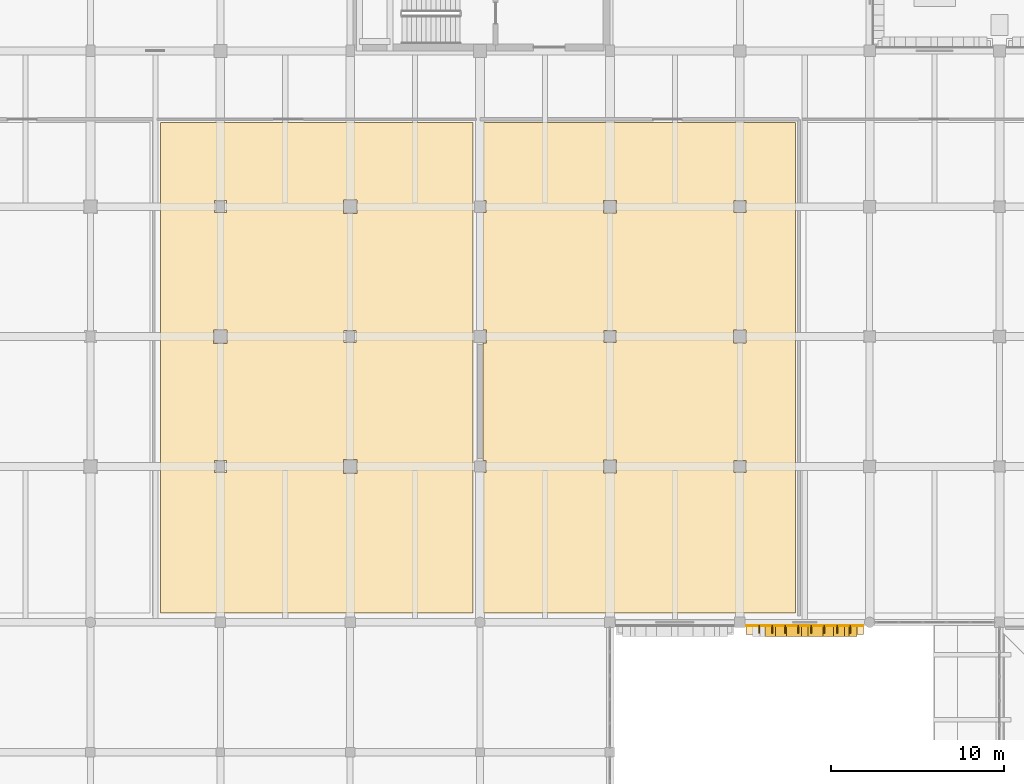
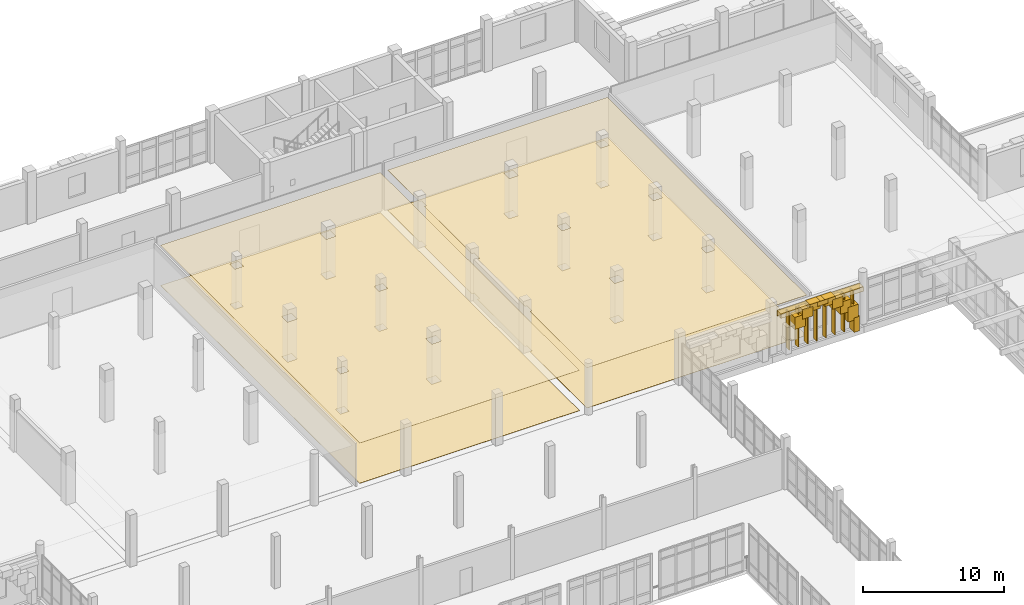
# One storey, part 119 of 128: 15 coverings, 8 shading devices.
"""IFC4 building model written with IfcOpenShell, lengths in metres."""

from ifc_helpers import new_model, si_unit, direction, frame, origin, origin_2d, place, context, subcontext, project, spatial, polyline, rectangle, outline, extrude, material, layer, layer_set, type_object, element, save


model = new_model("IFC4")

# Units and contexts
model_context = context("Model", 3, precision=1e-05, world=origin(), true_north=direction((0.0, 1.0)))
body_context = subcontext(model_context, "Body", "Model", "MODEL_VIEW")
ifc_project = project(units=[si_unit("LENGTHUNIT", "METRE"), si_unit("AREAUNIT", "SQUARE_METRE"), si_unit("VOLUMEUNIT", "CUBIC_METRE"), si_unit("PLANEANGLEUNIT", "RADIAN"), si_unit("MASSUNIT", "GRAM", prefix="KILO")], contexts=[model_context])

# Site, building, storey
site_placement = place(None, origin())
site = spatial("IfcSite", under=ifc_project, at=site_placement, CompositionType="ELEMENT")
building_placement = place(site_placement, origin())
building = spatial("IfcBuilding", under=site, at=building_placement, Name="Dalvernix Boulevard General Hospital", CompositionType="ELEMENT")
storey_placement = place(building_placement, frame((0.0, 0.0, 4.800048828125)))
storey = spatial("IfcBuildingStorey", under=building, at=storey_placement, Name="L01", CompositionType="ELEMENT", Elevation=4.800048828125)

# Coverings
ifc_material_1 = material(Name="Pressed Catalan clay brick and dressed limestone parabolic archivolt", Category="masonry")
ifc_layer_1 = layer(ifc_material_1, 0.419921875)
ifc_layer_set_1 = layer_set([ifc_layer_1], Name="Pressed Catalan clay brick and dressed limestone parabolic archivolt (COV-ARC-01)")
covering_type_1 = type_object("IfcCoveringType", Name="COV-ARC-01", PredefinedType="CLADDING", material=ifc_layer_set_1)
covering_1_placement = place(storey_placement, frame((126.550048828125, 76.014892578125, 0.0), z_axis=(0.0, 0.0, 1.0), x_axis=(-1.0, 0.0, 0.0)))
element("IfcCovering", 1, at=covering_1_placement, inside=storey, type_object=covering_type_1, Name="L01 Catalan parabolic arch impost pier S 16-10-L", PredefinedType="CLADDING", context=body_context, shape_type="SweptSolid", body=[
    extrude(rectangle(XDim=0.4599609375, YDim=0.659912109375, at=origin_2d()), origin(), (0.0, 0.0, 1.0), 1.25),
])
covering_2_placement = place(storey_placement, frame((126.239013671875, 76.014892578125, 1.06005859375), z_axis=(0.0, 0.0, 1.0), x_axis=(-1.0, 0.0, 0.0)))
element("IfcCovering", 2, at=covering_2_placement, inside=storey, type_object=covering_type_1, Name="L01 Catalan parabolic archivolt voussoir S 16-10-1", PredefinedType="CLADDING", context=body_context, shape_type="SweptSolid", body=[
    extrude(rectangle(XDim=0.8623046875, YDim=0.659912109375, at=origin_2d()), origin(), (0.0, 0.0, 1.0), 1.272705078125),
])
covering_3_placement = place(storey_placement, frame((125.61669921875, 76.014892578125, 1.95263671875), z_axis=(0.0, 0.0, 1.0), x_axis=(-1.0, 0.0, 0.0)))
element("IfcCovering", 3, at=covering_3_placement, inside=storey, type_object=covering_type_1, Name="L01 Catalan parabolic archivolt voussoir S 16-10-2", PredefinedType="CLADDING", context=body_context, shape_type="SweptSolid", body=[
    extrude(rectangle(XDim=0.8623046875, YDim=0.659912109375, at=origin_2d()), origin(), (0.0, 0.0, 1.0), 1.049560546875),
])
covering_4_placement = place(storey_placement, frame((124.994384765625, 76.014892578125, 2.62255859375), z_axis=(0.0, 0.0, 1.0), x_axis=(-1.0, 0.0, 0.0)))
element("IfcCovering", 4, at=covering_4_placement, inside=storey, type_object=covering_type_1, Name="L01 Catalan parabolic archivolt voussoir S 16-10-3", PredefinedType="CLADDING", context=body_context, shape_type="SweptSolid", body=[
    extrude(rectangle(XDim=0.8623046875, YDim=0.659912109375, at=origin_2d()), origin(), (0.0, 0.0, 1.0), 0.826416015625),
])
covering_5_placement = place(storey_placement, frame((124.372314453125, 76.014892578125, 3.06884765625), z_axis=(0.0, 0.0, 1.0), x_axis=(-1.0, 0.0, 0.0)))
element("IfcCovering", 5, at=covering_5_placement, inside=storey, type_object=covering_type_1, Name="L01 Catalan parabolic archivolt voussoir S 16-10-4", PredefinedType="CLADDING", context=body_context, shape_type="SweptSolid", body=[
    extrude(rectangle(XDim=0.8623046875, YDim=0.659912109375, at=origin_2d()), origin(), (0.0, 0.0, 1.0), 0.603271484375),
])
covering_6_placement = place(storey_placement, frame((123.75, 76.014892578125, 3.2919921875), z_axis=(0.0, 0.0, 1.0), x_axis=(-1.0, 0.0, 0.0)))
element("IfcCovering", 6, at=covering_6_placement, inside=storey, type_object=covering_type_1, Name="L01 Catalan parabolic archivolt voussoir S 16-10-5", PredefinedType="CLADDING", context=body_context, shape_type="SweptSolid", body=[
    extrude(rectangle(XDim=0.8623046875, YDim=0.659912109375, at=origin_2d()), origin(), (0.0, 0.0, 1.0), 0.3798828125),
])
covering_7_placement = place(storey_placement, frame((123.127685546875, 76.014892578125, 3.06884765625), z_axis=(0.0, 0.0, 1.0), x_axis=(-1.0, 0.0, 0.0)))
element("IfcCovering", 7, at=covering_7_placement, inside=storey, type_object=covering_type_1, Name="L01 Catalan parabolic archivolt voussoir S 16-10-6", PredefinedType="CLADDING", context=body_context, shape_type="SweptSolid", body=[
    extrude(rectangle(XDim=0.8623046875, YDim=0.659912109375, at=origin_2d()), origin(), (0.0, 0.0, 1.0), 0.603271484375),
])
covering_8_placement = place(storey_placement, frame((122.505615234375, 76.014892578125, 2.62255859375), z_axis=(0.0, 0.0, 1.0), x_axis=(-1.0, 0.0, 0.0)))
element("IfcCovering", 8, at=covering_8_placement, inside=storey, type_object=covering_type_1, Name="L01 Catalan parabolic archivolt voussoir S 16-10-7", PredefinedType="CLADDING", context=body_context, shape_type="SweptSolid", body=[
    extrude(rectangle(XDim=0.8623046875, YDim=0.659912109375, at=origin_2d()), origin(), (0.0, 0.0, 1.0), 0.826416015625),
])
covering_9_placement = place(storey_placement, frame((121.88330078125, 76.014892578125, 1.95263671875), z_axis=(0.0, 0.0, 1.0), x_axis=(-1.0, 0.0, 0.0)))
element("IfcCovering", 9, at=covering_9_placement, inside=storey, type_object=covering_type_1, Name="L01 Catalan parabolic archivolt voussoir S 16-10-8", PredefinedType="CLADDING", context=body_context, shape_type="SweptSolid", body=[
    extrude(rectangle(XDim=0.8623046875, YDim=0.659912109375, at=origin_2d()), origin(), (0.0, 0.0, 1.0), 1.049560546875),
])
ifc_material_2 = material(Name="Antimicrobial acoustic mineral-fibre suspended ceiling")
ifc_layer_2 = layer(ifc_material_2, 0.02490234375)
ifc_layer_set_2 = layer_set([ifc_layer_2], Name="Antimicrobial acoustic mineral-fibre suspended ceiling (COV-CEIL-01)")
covering_type_2 = type_object("IfcCoveringType", Name="COV-CEIL-01", PredefinedType="CEILING", material=ifc_layer_set_2)
covering_10_placement = place(storey_placement, frame((0.0, 0.0, 3.474853515625)))
element("IfcCovering", 10, at=covering_10_placement, inside=storey, type_object=covering_type_2, Name="L01 Clinical Pathology and Microbiology Laboratory 03 hygienic suspended ceiling", PredefinedType="CEILING", context=body_context, shape_type="SweptSolid", body=[
    extrude(outline(polyline([(86.550048828125, 105.35009765625), (104.583251953125, 105.35009765625), (104.583251953125, 77.050048828125), (86.550048828125, 77.050048828125), (86.550048828125, 105.35009765625)]), holes=[polyline([(89.655029296875, 85.844970703125), (89.655029296875, 85.155029296875), (90.344970703125, 85.155029296875), (90.344970703125, 85.844970703125), (89.655029296875, 85.844970703125)]), polyline([(90.39501953125, 93.39501953125), (89.60498046875, 93.39501953125), (89.60498046875, 92.60498046875), (90.39501953125, 92.60498046875), (90.39501953125, 93.39501953125)]), polyline([(90.344970703125, 100.155029296875), (90.344970703125, 100.844970703125), (89.655029296875, 100.844970703125), (89.655029296875, 100.155029296875), (90.344970703125, 100.155029296875)]), polyline([(97.10498046875, 85.10498046875), (97.89501953125, 85.10498046875), (97.89501953125, 85.89501953125), (97.10498046875, 85.89501953125), (97.10498046875, 85.10498046875)]), polyline([(97.155029296875, 93.344970703125), (97.155029296875, 92.655029296875), (97.844970703125, 92.655029296875), (97.844970703125, 93.344970703125), (97.155029296875, 93.344970703125)]), polyline([(97.89501953125, 100.89501953125), (97.10498046875, 100.89501953125), (97.10498046875, 100.10498046875), (97.89501953125, 100.10498046875), (97.89501953125, 100.89501953125)])]), origin(), (0.0, 0.0, 1.0), 0.025146484375),
])
covering_11_placement = place(storey_placement, frame((0.0, 0.0, 3.474853515625)))
element("IfcCovering", 11, at=covering_11_placement, inside=storey, type_object=covering_type_2, Name="L01 Clinical Pathology and Microbiology Laboratory 04 hygienic suspended ceiling", PredefinedType="CEILING", context=body_context, shape_type="SweptSolid", body=[
    extrude(outline(polyline([(105.183349609375, 93.3701171875), (105.183349609375, 100.155029296875), (105.344970703125, 100.155029296875), (105.344970703125, 100.844970703125), (105.183349609375, 100.844970703125), (105.183349609375, 105.35009765625), (123.216796875, 105.35009765625), (123.216796875, 77.050048828125), (105.183349609375, 77.050048828125), (105.183349609375, 85.155029296875), (105.344970703125, 85.155029296875), (105.344970703125, 85.844970703125), (105.183349609375, 85.844970703125), (105.183349609375, 92.6298828125), (105.3701171875, 92.6298828125), (105.3701171875, 93.3701171875), (105.183349609375, 93.3701171875)]), holes=[polyline([(112.1298828125, 85.8701171875), (112.1298828125, 85.1298828125), (112.8701171875, 85.1298828125), (112.8701171875, 85.8701171875), (112.1298828125, 85.8701171875)]), polyline([(112.844970703125, 93.344970703125), (112.155029296875, 93.344970703125), (112.155029296875, 92.655029296875), (112.844970703125, 92.655029296875), (112.844970703125, 93.344970703125)]), polyline([(112.8701171875, 100.1298828125), (112.8701171875, 100.8701171875), (112.1298828125, 100.8701171875), (112.1298828125, 100.1298828125), (112.8701171875, 100.1298828125)]), polyline([(119.655029296875, 85.155029296875), (120.344970703125, 85.155029296875), (120.344970703125, 85.844970703125), (119.655029296875, 85.844970703125), (119.655029296875, 85.155029296875)]), polyline([(119.6298828125, 93.3701171875), (119.6298828125, 92.6298828125), (120.3701171875, 92.6298828125), (120.3701171875, 93.3701171875), (119.6298828125, 93.3701171875)]), polyline([(120.344970703125, 100.844970703125), (119.655029296875, 100.844970703125), (119.655029296875, 100.155029296875), (120.344970703125, 100.155029296875), (120.344970703125, 100.844970703125)])]), origin(), (0.0, 0.0, 1.0), 0.025146484375),
])
ifc_material_3 = material(Name="Polychrome Catalan glazed ceramic spandrel tile panel")
ifc_layer_3 = layer(ifc_material_3, 0.044921875)
ifc_layer_set_3 = layer_set([ifc_layer_3], Name="Polychrome Catalan glazed ceramic spandrel tile panel (COV-CLD-01)")
covering_type_3 = type_object("IfcCoveringType", Name="COV-CLD-01", PredefinedType="CLADDING", material=ifc_layer_set_3)
covering_12_placement = place(storey_placement, frame((123.75, 76.304931640625, 3.15478515625), z_axis=(0.0, 0.0, 1.0), x_axis=(-1.0, 0.0, 0.0)))
element("IfcCovering", 12, at=covering_12_placement, inside=storey, type_object=covering_type_3, Name="L01 polychrome ceramic spandrel S 16-10", PredefinedType="CLADDING", context=body_context, shape_type="SweptSolid", body=[
    extrude(rectangle(XDim=6.780029296875, YDim=0.044921875, at=origin_2d()), origin(), (0.0, 0.0, 1.0), 0.449951171875),
])
ifc_material_4 = material(Name="Dressed ochre limestone classical plinth, stringcourse and corbelled cornice", Category="masonry")
ifc_layer_4 = layer(ifc_material_4, 0.449951171875)
ifc_layer_set_4 = layer_set([ifc_layer_4], Name="Dressed ochre limestone classical plinth, stringcourse and corbelled cornice (COV-CRN-01)")
covering_type_4 = type_object("IfcCoveringType", Name="COV-CRN-01", PredefinedType="CLADDING", material=ifc_layer_set_4)
covering_13_placement = place(storey_placement, frame((123.75, 76.06494140625, 3.22998046875), z_axis=(0.0, 0.0, 1.0), x_axis=(-1.0, 0.0, 0.0)))
element("IfcCovering", 13, at=covering_13_placement, inside=storey, type_object=covering_type_4, Name="L01 classical corbelled cornice frieze S 16-10", PredefinedType="CLADDING", context=body_context, shape_type="SweptSolid", body=[
    extrude(rectangle(XDim=6.780029296875, YDim=0.56005859375, at=origin_2d()), origin(), (0.0, 0.0, 1.0), 0.39990234375),
])
ifc_material_5 = material(Name="Seamless welded medical vinyl and polished terrazzo flooring")
ifc_layer_5 = layer(ifc_material_5, 0.014892578125)
ifc_layer_set_5 = layer_set([ifc_layer_5], Name="Seamless welded medical vinyl and polished terrazzo flooring (COV-FLR-01)")
covering_type_5 = type_object("IfcCoveringType", Name="COV-FLR-01", PredefinedType="FLOORING", material=ifc_layer_set_5)
covering_14_placement = place(storey_placement, origin())
element("IfcCovering", 14, at=covering_14_placement, inside=storey, type_object=covering_type_5, Name="L01 Clinical Pathology and Microbiology Laboratory 03 seamless clinical flooring", PredefinedType="FLOORING", context=body_context, shape_type="SweptSolid", body=[
    extrude(outline(polyline([(86.550048828125, 105.35009765625), (104.583251953125, 105.35009765625), (104.583251953125, 77.050048828125), (86.550048828125, 77.050048828125), (86.550048828125, 105.35009765625)]), holes=[polyline([(89.655029296875, 85.844970703125), (89.655029296875, 85.155029296875), (90.344970703125, 85.155029296875), (90.344970703125, 85.844970703125), (89.655029296875, 85.844970703125)]), polyline([(90.39501953125, 93.39501953125), (89.60498046875, 93.39501953125), (89.60498046875, 92.60498046875), (90.39501953125, 92.60498046875), (90.39501953125, 93.39501953125)]), polyline([(90.344970703125, 100.155029296875), (90.344970703125, 100.844970703125), (89.655029296875, 100.844970703125), (89.655029296875, 100.155029296875), (90.344970703125, 100.155029296875)]), polyline([(97.10498046875, 85.10498046875), (97.89501953125, 85.10498046875), (97.89501953125, 85.89501953125), (97.10498046875, 85.89501953125), (97.10498046875, 85.10498046875)]), polyline([(97.155029296875, 93.344970703125), (97.155029296875, 92.655029296875), (97.844970703125, 92.655029296875), (97.844970703125, 93.344970703125), (97.155029296875, 93.344970703125)]), polyline([(97.89501953125, 100.89501953125), (97.10498046875, 100.89501953125), (97.10498046875, 100.10498046875), (97.89501953125, 100.10498046875), (97.89501953125, 100.89501953125)])]), origin(), (0.0, 0.0, 1.0), 0.014892578125),
])
covering_15_placement = place(storey_placement, origin())
element("IfcCovering", 15, at=covering_15_placement, inside=storey, type_object=covering_type_5, Name="L01 Clinical Pathology and Microbiology Laboratory 04 seamless clinical flooring", PredefinedType="FLOORING", context=body_context, shape_type="SweptSolid", body=[
    extrude(outline(polyline([(105.183349609375, 93.3701171875), (105.183349609375, 100.155029296875), (105.344970703125, 100.155029296875), (105.344970703125, 100.844970703125), (105.183349609375, 100.844970703125), (105.183349609375, 105.35009765625), (123.216796875, 105.35009765625), (123.216796875, 77.050048828125), (105.183349609375, 77.050048828125), (105.183349609375, 85.155029296875), (105.344970703125, 85.155029296875), (105.344970703125, 85.844970703125), (105.183349609375, 85.844970703125), (105.183349609375, 92.6298828125), (105.3701171875, 92.6298828125), (105.3701171875, 93.3701171875), (105.183349609375, 93.3701171875)]), holes=[polyline([(112.1298828125, 85.8701171875), (112.1298828125, 85.1298828125), (112.8701171875, 85.1298828125), (112.8701171875, 85.8701171875), (112.1298828125, 85.8701171875)]), polyline([(112.844970703125, 93.344970703125), (112.155029296875, 93.344970703125), (112.155029296875, 92.655029296875), (112.844970703125, 92.655029296875), (112.844970703125, 93.344970703125)]), polyline([(112.8701171875, 100.1298828125), (112.8701171875, 100.8701171875), (112.1298828125, 100.8701171875), (112.1298828125, 100.1298828125), (112.8701171875, 100.1298828125)]), polyline([(119.655029296875, 85.155029296875), (120.344970703125, 85.155029296875), (120.344970703125, 85.844970703125), (119.655029296875, 85.844970703125), (119.655029296875, 85.155029296875)]), polyline([(119.6298828125, 93.3701171875), (119.6298828125, 92.6298828125), (120.3701171875, 92.6298828125), (120.3701171875, 93.3701171875), (119.6298828125, 93.3701171875)]), polyline([(120.344970703125, 100.844970703125), (119.655029296875, 100.844970703125), (119.655029296875, 100.155029296875), (120.344970703125, 100.155029296875), (120.344970703125, 100.844970703125)])]), origin(), (0.0, 0.0, 1.0), 0.014892578125),
])

# Shading devices
ifc_material_6 = material(Name="Preservative-treated West African iroko timber", Category="wood")
shading_device_type = type_object("IfcShadingDeviceType", Name="SHD-FIN-01", PredefinedType="USERDEFINED", material=ifc_material_6)
for number, where, z_axis, x_axis, name in (
    (16, (126.375, 76.094970703125, 0.1748046875), (0.0, 0.0, 1.0), (-1.0, 0.0, 0.0), "L01 iroko brise-soleil fin 1"),
    (17, (125.625, 76.094970703125, 0.1748046875), (0.0, 0.0, 1.0), (-1.0, 0.0, 0.0), "L01 iroko brise-soleil fin 2"),
    (18, (124.875, 76.094970703125, 0.1748046875), (0.0, 0.0, 1.0), (-1.0, 0.0, 0.0), "L01 iroko brise-soleil fin 3"),
    (19, (124.125, 76.094970703125, 0.1748046875), (0.0, 0.0, 1.0), (-1.0, 0.0, 0.0), "L01 iroko brise-soleil fin 4"),
    (20, (123.375, 76.094970703125, 0.1748046875), (0.0, 0.0, 1.0), (-1.0, 0.0, 0.0), "L01 iroko brise-soleil fin 5"),
    (21, (122.625, 76.094970703125, 0.1748046875), (0.0, 0.0, 1.0), (-1.0, 0.0, 0.0), "L01 iroko brise-soleil fin 6"),
    (22, (121.875, 76.094970703125, 0.1748046875), (0.0, 0.0, 1.0), (-1.0, 0.0, 0.0), "L01 iroko brise-soleil fin 7"),
    (23, (121.125, 76.094970703125, 0.1748046875), (0.0, 0.0, 1.0), (-1.0, 0.0, 0.0), "L01 iroko brise-soleil fin 8"),
):
    element("IfcShadingDevice", number, at=place(storey_placement, frame(where, z_axis=z_axis, x_axis=x_axis)), inside=storey, type_object=shading_device_type, Name=name, ObjectType="FIN", PredefinedType="USERDEFINED", context=body_context, shape_type="SweptSolid", body=[
        extrude(rectangle(XDim=0.06494140625, YDim=0.47998046875, at=origin_2d()), origin(), (0.0, 0.0, 1.0), 3.280029296875),
    ])

save(model, "model.ifc")
